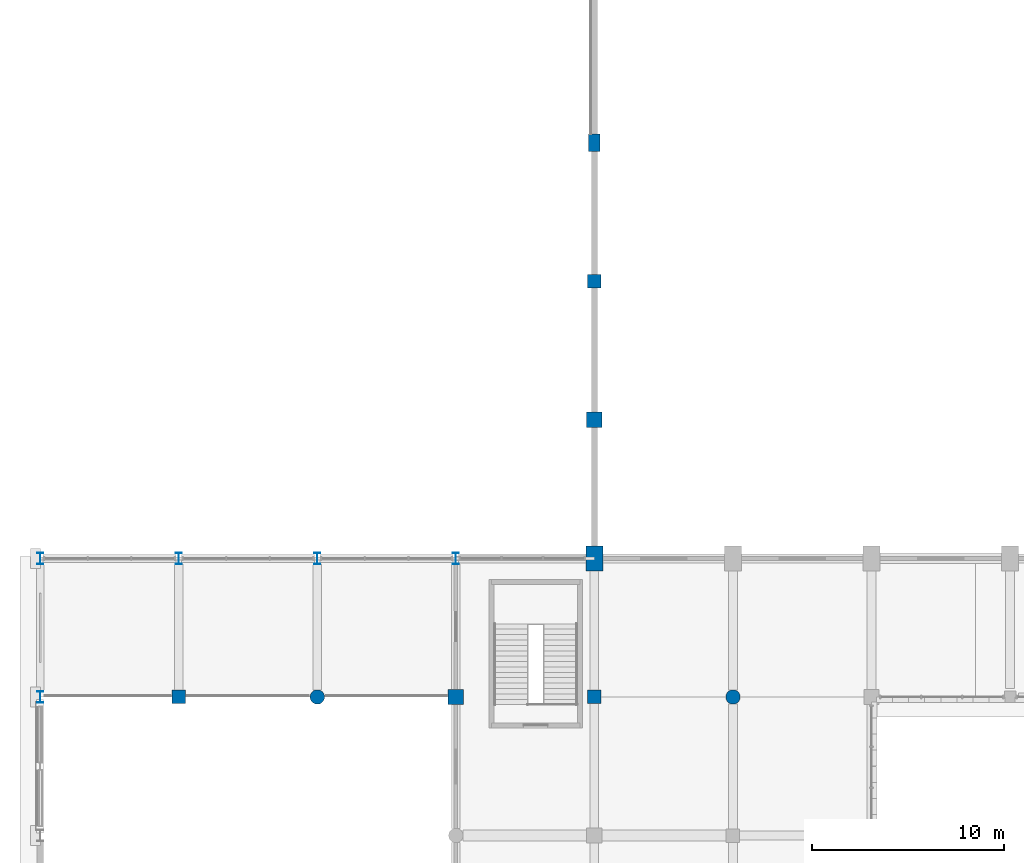
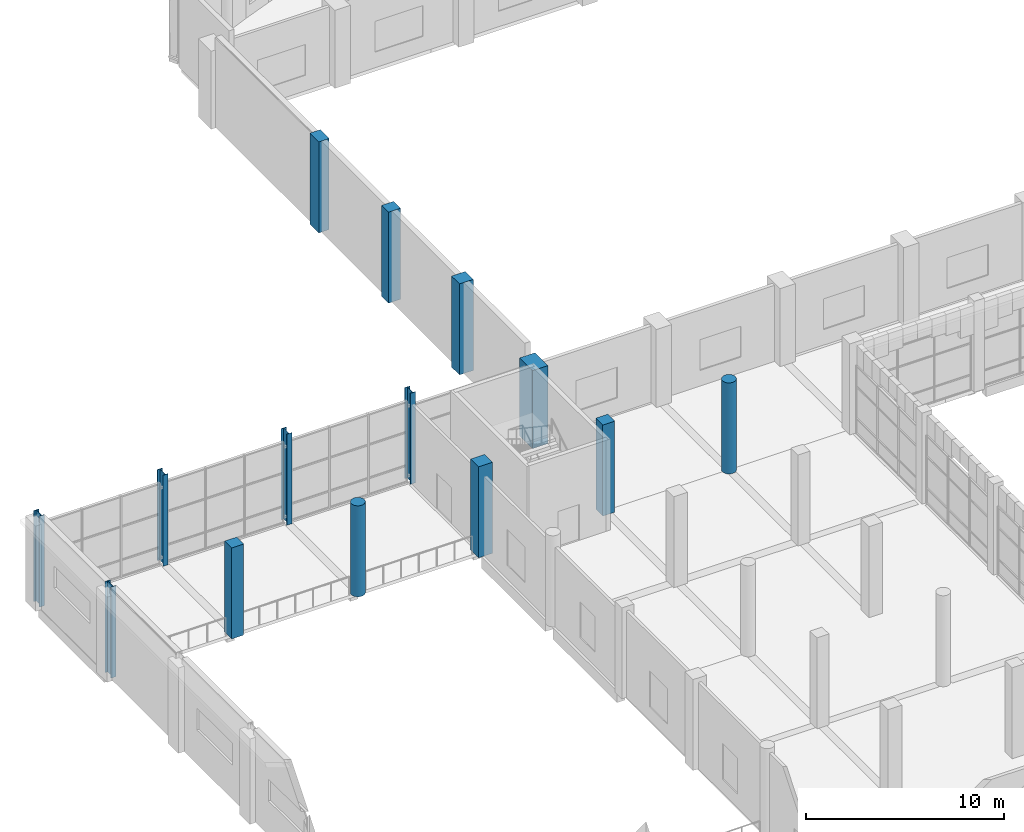
# One storey, part 5 of 80: 14 columns.
"""IFC4 building model written with IfcOpenShell, lengths in metres."""

from ifc_helpers import new_model, si_unit, direction, frame, origin, origin_2d, place, context, subcontext, project, spatial, rectangle, circle, i_section, extrude, material, material_profile, profile_set, type_object, element, save


model = new_model("IFC4")

# Units and contexts
model_context = context("Model", 3, precision=1e-05, world=origin(), true_north=direction((0.0, 1.0)))
body_context = subcontext(model_context, "Body", "Model", "MODEL_VIEW")
ifc_project = project(units=[si_unit("LENGTHUNIT", "METRE"), si_unit("AREAUNIT", "SQUARE_METRE"), si_unit("VOLUMEUNIT", "CUBIC_METRE"), si_unit("PLANEANGLEUNIT", "RADIAN"), si_unit("MASSUNIT", "GRAM", prefix="KILO")], contexts=[model_context])

# Site, building, storey
site_placement = place(None, origin())
site = spatial("IfcSite", under=ifc_project, at=site_placement, CompositionType="ELEMENT")
building_placement = place(site_placement, origin())
building = spatial("IfcBuilding", under=site, at=building_placement, Name="Sardonyx Promenade Sports Hall", CompositionType="ELEMENT")
storey_placement = place(building_placement, frame((0.0, 0.0, 5.60009765625)))
storey = spatial("IfcBuildingStorey", under=building, at=storey_placement, Name="L01", CompositionType="ELEMENT", Elevation=5.60009765625)

# Columns
ifc_material_1 = material(Name="Steel S355JR", Category="steel")
ifc_material_profile_1 = material_profile(ifc_material_1, i_section(OverallWidth=0.300048828125, OverallDepth=0.590087890625, WebThickness=0.012939453125, FlangeThickness=0.02490234375, at=origin_2d()))
ifc_profile_set_1 = profile_set([ifc_material_profile_1], Name="Steel S355JR")
column_type_1 = type_object("IfcColumnType", Name="Col_Ext_HEA600", PredefinedType="COLUMN", material=ifc_profile_set_1)
for number, where, z_axis, x_axis, name in (
    (1, (0.0, 64.800048828125, 0.0), (0.0, 0.0, 1.0), (1.0, 0.0, 0.0), "Column CE01 L01 (0.0,64.8)"),
    (2, (0.0, 72.0, 0.0), (0.0, 0.0, 1.0), (1.0, 0.0, 0.0), "Column CE01 L01 (0.0,72.0)"),
    (3, (7.199951171875, 72.0, 0.0), (0.0, 0.0, 1.0), (1.0, 0.0, 0.0), "Column CE01 L01 (7.2,72.0)"),
    (4, (14.39990234375, 72.0, 0.0), (0.0, 0.0, 1.0), (1.0, 0.0, 0.0), "Column CE01 L01 (14.4,72.0)"),
    (5, (21.60009765625, 72.0, 0.0), (0.0, 0.0, 1.0), (1.0, 0.0, 0.0), "Column CE01 L01 (21.6,72.0)"),
):
    element("IfcColumn", number, at=place(storey_placement, frame(where, z_axis=z_axis, x_axis=x_axis)), inside=storey, type_object=column_type_1, Name=name, PredefinedType="COLUMN", context=body_context, shape_type="SweptSolid", body=[
        extrude(i_section(OverallWidth=0.300048828125, OverallDepth=0.590087890625, WebThickness=0.012939453125, FlangeThickness=0.02490234375, at=origin_2d()), origin(), (0.0, 0.0, 1.0), 5.599853515625),
    ])
ifc_material_2 = material(Name="Concrete C40/50", Category="concrete")
ifc_material_profile_2 = material_profile(ifc_material_2, rectangle(XDim=0.60009765625, YDim=0.89990234375, at=origin_2d()))
ifc_profile_set_2 = profile_set([ifc_material_profile_2], Name="Concrete C40/50")
column_type_2 = type_object("IfcColumnType", Name="Col_Ext_RC600x900", PredefinedType="COLUMN", material=ifc_profile_set_2)
column_1_placement = place(storey_placement, frame((28.800048828125, 93.60009765625, 0.0), z_axis=(0.0, 0.0, 1.0), x_axis=(1.0, 0.0, 0.0)))
element("IfcColumn", 6, at=column_1_placement, inside=storey, type_object=column_type_2, Name="Column CE12 L01 (28.8,93.6)", PredefinedType="COLUMN", context=body_context, shape_type="SweptSolid", body=[
    extrude(rectangle(XDim=0.60009765625, YDim=0.89990234375, at=origin_2d()), origin(), (0.0, 0.0, 1.0), 5.599853515625),
])
ifc_material_3 = material(Name="Concrete C40/50", Category="concrete")
ifc_material_profile_3 = material_profile(ifc_material_3, rectangle(XDim=0.699951171875, YDim=0.699951171875, at=origin_2d()))
ifc_profile_set_3 = profile_set([ifc_material_profile_3], Name="Concrete C40/50")
column_type_3 = type_object("IfcColumnType", Name="Col_Ext_RC700", PredefinedType="COLUMN", material=ifc_profile_set_3)
column_2_placement = place(storey_placement, frame((28.800048828125, 86.39990234375, 0.0), z_axis=(0.0, 0.0, 1.0), x_axis=(1.0, 0.0, 0.0)))
element("IfcColumn", 7, at=column_2_placement, inside=storey, type_object=column_type_3, Name="Column CE05 L01 (28.8,86.4)", PredefinedType="COLUMN", context=body_context, shape_type="SweptSolid", body=[
    extrude(rectangle(XDim=0.699951171875, YDim=0.699951171875, at=origin_2d()), origin(), (0.0, 0.0, 1.0), 5.599853515625),
])
ifc_material_4 = material(Name="Concrete C50/60", Category="concrete")
ifc_material_profile_4 = material_profile(ifc_material_4, rectangle(XDim=0.800048828125, YDim=0.800048828125, at=origin_2d()))
ifc_profile_set_4 = profile_set([ifc_material_profile_4], Name="Concrete C50/60")
column_type_4 = type_object("IfcColumnType", Name="Col_Ext_RC800", PredefinedType="COLUMN", material=ifc_profile_set_4)
column_3_placement = place(storey_placement, frame((28.800048828125, 79.199951171875, 0.0), z_axis=(0.0, 0.0, 1.0), x_axis=(1.0, 0.0, 0.0)))
element("IfcColumn", 8, at=column_3_placement, inside=storey, type_object=column_type_4, Name="Column CE13 L01 (28.8,79.2)", PredefinedType="COLUMN", context=body_context, shape_type="SweptSolid", body=[
    extrude(rectangle(XDim=0.800048828125, YDim=0.800048828125, at=origin_2d()), origin(), (0.0, 0.0, 1.0), 5.599853515625),
])
ifc_material_5 = material(Name="Concrete C50/60", Category="concrete")
ifc_material_profile_5 = material_profile(ifc_material_5, rectangle(XDim=0.89990234375, YDim=1.300048828125, at=origin_2d()))
ifc_profile_set_5 = profile_set([ifc_material_profile_5], Name="Concrete C50/60")
column_type_5 = type_object("IfcColumnType", Name="Col_Ext_RC900x1300", PredefinedType="COLUMN", material=ifc_profile_set_5)
column_4_placement = place(storey_placement, frame((28.800048828125, 72.0, 0.0), z_axis=(0.0, 0.0, 1.0), x_axis=(1.0, 0.0, 0.0)))
element("IfcColumn", 9, at=column_4_placement, inside=storey, type_object=column_type_5, Name="Column CE06 L01 (28.8,72.0)", PredefinedType="COLUMN", context=body_context, shape_type="SweptSolid", body=[
    extrude(rectangle(XDim=0.89990234375, YDim=1.300048828125, at=origin_2d()), origin(), (0.0, 0.0, 1.0), 4.7998046875),
])
ifc_material_6 = material(Name="Concrete C50/60", Category="concrete")
ifc_material_profile_6 = material_profile(ifc_material_6, rectangle(XDim=0.699951171875, YDim=0.699951171875, at=origin_2d()))
ifc_profile_set_6 = profile_set([ifc_material_profile_6], Name="Concrete C50/60")
column_type_6 = type_object("IfcColumnType", Name="Col_Int_RC700", PredefinedType="COLUMN", material=ifc_profile_set_6)
for number, where, z_axis, x_axis, name in (
    (10, (7.199951171875, 64.800048828125, 0.0), (0.0, 0.0, 1.0), (1.0, 0.0, 0.0), "Column CI03 L01 (7.2,64.8)"),
    (11, (28.800048828125, 64.800048828125, 0.0), (0.0, 0.0, 1.0), (1.0, 0.0, 0.0), "Column CI03 L01 (28.8,64.8)"),
):
    element("IfcColumn", number, at=place(storey_placement, frame(where, z_axis=z_axis, x_axis=x_axis)), inside=storey, type_object=column_type_6, Name=name, PredefinedType="COLUMN", context=body_context, shape_type="SweptSolid", body=[
        extrude(rectangle(XDim=0.699951171875, YDim=0.699951171875, at=origin_2d()), origin(), (0.0, 0.0, 1.0), 5.599853515625),
    ])
ifc_material_7 = material(Name="Concrete C50/60", Category="concrete")
ifc_material_profile_7 = material_profile(ifc_material_7, rectangle(XDim=0.800048828125, YDim=0.800048828125, at=origin_2d()))
ifc_profile_set_7 = profile_set([ifc_material_profile_7], Name="Concrete C50/60")
column_type_7 = type_object("IfcColumnType", Name="Col_Int_RC800", PredefinedType="COLUMN", material=ifc_profile_set_7)
column_5_placement = place(storey_placement, frame((21.60009765625, 64.800048828125, 0.0), z_axis=(0.0, 0.0, 1.0), x_axis=(1.0, 0.0, 0.0)))
element("IfcColumn", 12, at=column_5_placement, inside=storey, type_object=column_type_7, Name="Column CI01 L01 (21.6,64.8)", PredefinedType="COLUMN", context=body_context, shape_type="SweptSolid", body=[
    extrude(rectangle(XDim=0.800048828125, YDim=0.800048828125, at=origin_2d()), origin(), (0.0, 0.0, 1.0), 5.599853515625),
])
ifc_material_8 = material(Name="Concrete C50/60", Category="concrete")
ifc_material_profile_8 = material_profile(ifc_material_8, circle(Radius=0.375, at=origin_2d()))
ifc_profile_set_8 = profile_set([ifc_material_profile_8], Name="Concrete C50/60")
column_type_8 = type_object("IfcColumnType", Name="Col_Int_RCD750", PredefinedType="COLUMN", material=ifc_profile_set_8)
for number, where, z_axis, x_axis, name in (
    (13, (14.39990234375, 64.800048828125, 0.0), (0.0, 0.0, 1.0), (1.0, 0.0, 0.0), "Column CI07 L01 (14.4,64.8)"),
    (14, (36.0, 64.800048828125, 0.0), (0.0, 0.0, 1.0), (1.0, 0.0, 0.0), "Column CI07 L01 (36.0,64.8)"),
):
    element("IfcColumn", number, at=place(storey_placement, frame(where, z_axis=z_axis, x_axis=x_axis)), inside=storey, type_object=column_type_8, Name=name, PredefinedType="COLUMN", context=body_context, shape_type="SweptSolid", body=[
        extrude(circle(Radius=0.375, at=origin_2d()), origin(), (0.0, 0.0, 1.0), 5.599853515625),
    ])

save(model, "model.ifc")
